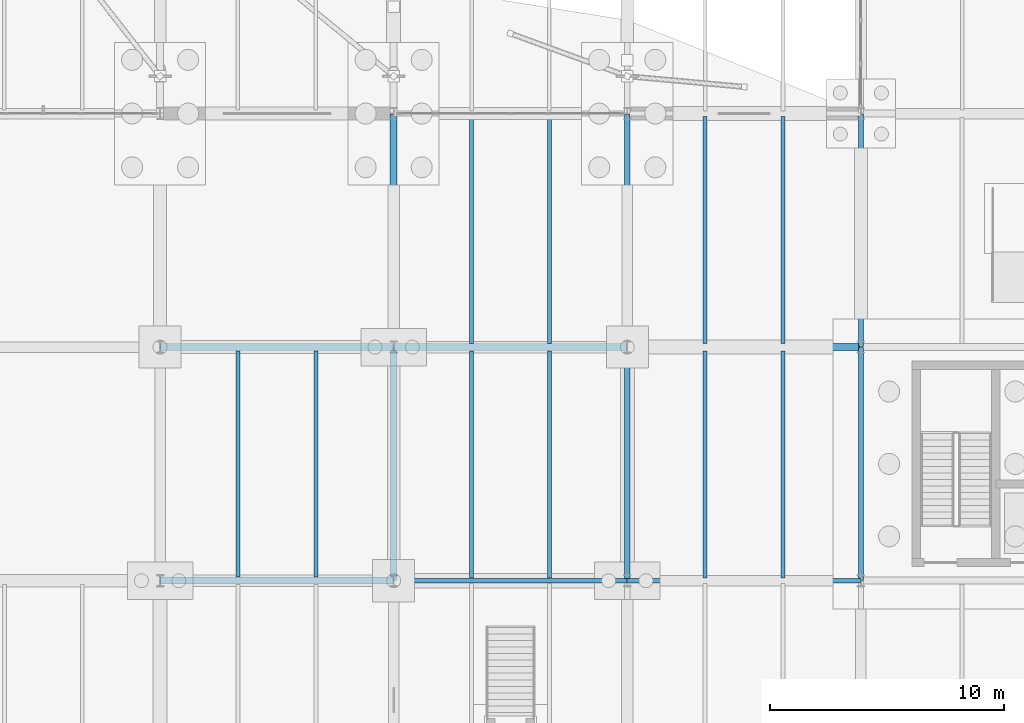
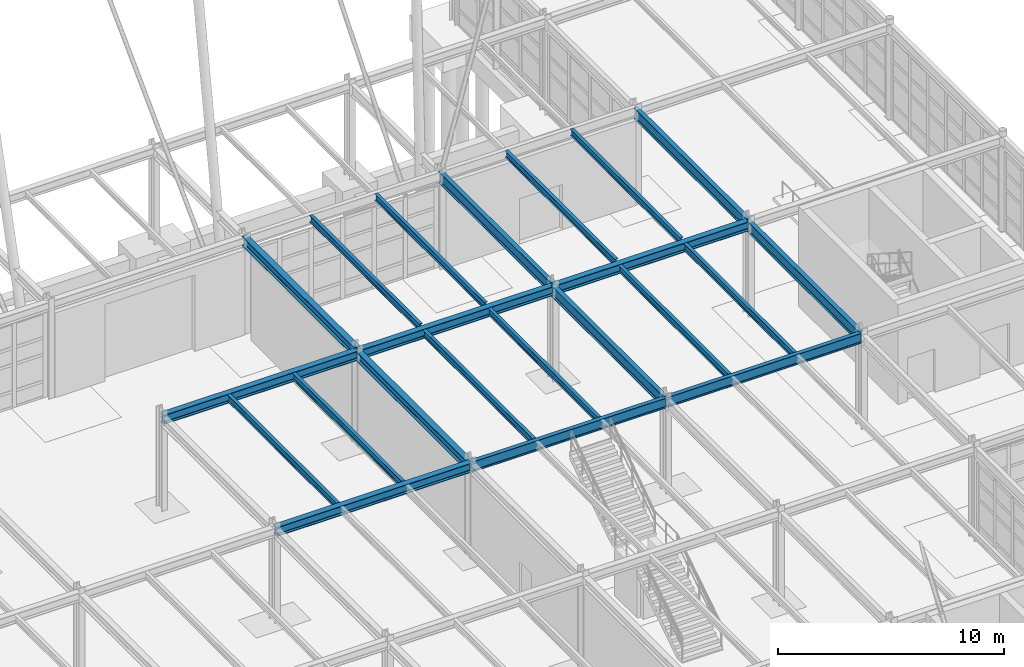
# One storey, part 58 of 145: 22 beams.
"""IFC4 building model written with IfcOpenShell, lengths in metres."""

import ifcopenshell
import ifcopenshell.guid

model = None  # the IFC model being written
_history = None  # IfcOwnerHistory: only IFC2X3 demands one
_inside = {}  # id of a spatial element -> (the spatial element, [elements in it])
_under = {}  # id of a project, library or spatial element -> (it, [spatial elements below it])
_declared = {}  # id of a project -> (the project, [libraries it declares])
_typed = {}  # id of a type object -> (the type object, [elements of that type])
_made_of = {}  # id of a material, layer set ... -> (it, [elements and type objects made of it])


def new_model(schema):
    """Start an empty IFC model of exactly this schema.

    Asked for "IFC4X3", IfcOpenShell would pick the latest addendum, in which some entities
    have other attributes; the version numbers below select the first issue.
    IFC2X3 requires an IfcOwnerHistory on every rooted entity: one is made here for all.
    """
    global model, _history
    if schema == "IFC4X3":
        model = ifcopenshell.file(schema_version=(4, 3, 0, 0))
    else:
        model = ifcopenshell.file(schema=schema)
    _inside.clear()
    _under.clear()
    _declared.clear()
    _typed.clear()
    _made_of.clear()
    _history = None
    if model.schema == "IFC2X3":
        org = make("IfcOrganization", Name="unknown")
        user = make(
            "IfcPersonAndOrganization",
            ThePerson=make("IfcPerson", FamilyName="unknown"),
            TheOrganization=org,
        )
        app = make(
            "IfcApplication",
            ApplicationDeveloper=org,
            Version="unknown",
            ApplicationFullName="unknown",
            ApplicationIdentifier="unknown",
        )
        _history = make(
            "IfcOwnerHistory",
            OwningUser=user,
            OwningApplication=app,
            ChangeAction="ADDED",
            CreationDate=0,
        )
    return model


def make(cls, **values):
    """One entity of the class cls with the attributes given. An attribute that is None is left unset."""
    return model.create_entity(
        cls, **{name: value for name, value in values.items() if value is not None}
    )


def rooted(cls, **values):
    """An entity with a GlobalId (a new one), such as an element, a storey or a relation."""
    return make(cls, GlobalId=ifcopenshell.guid.new(), OwnerHistory=_history, **values)


def si_unit(unit_type, name, prefix=None):
    """IfcSIUnit, for example si_unit("LENGTHUNIT", "METRE", prefix="MILLI")."""
    return make("IfcSIUnit", UnitType=unit_type, Prefix=prefix, Name=name)


def assignment(units):
    """IfcUnitAssignment: the units of a project."""
    return None if units is None else make("IfcUnitAssignment", Units=units)


def point(xyz):
    """IfcCartesianPoint."""
    return None if xyz is None else make("IfcCartesianPoint", Coordinates=xyz)


def direction(xyz):
    """IfcDirection."""
    return None if xyz is None else make("IfcDirection", DirectionRatios=xyz)


def frame(location, z_axis=None, x_axis=None):
    """IfcAxis2Placement3D, a coordinate frame: its origin and axes. An axis left out is left unset."""
    return make(
        "IfcAxis2Placement3D",
        Location=point(location),
        Axis=direction(z_axis),
        RefDirection=direction(x_axis),
    )


def frame_2d(location, x_axis=None):
    """IfcAxis2Placement2D, a coordinate frame in the plane: its origin and x axis."""
    return make(
        "IfcAxis2Placement2D", Location=point(location), RefDirection=direction(x_axis)
    )


def origin():
    """The frame at (0, 0, 0) with its axes left unset."""
    return frame((0.0, 0.0, 0.0))


def origin_2d():
    """The frame at (0, 0) in the plane with its x axis left unset."""
    return frame_2d((0.0, 0.0))


def place(relative_to, where):
    """IfcLocalPlacement: puts the frame where relative to a parent placement (None: the world)."""
    return make(
        "IfcLocalPlacement", PlacementRelTo=relative_to, RelativePlacement=where
    )


def context(
    kind, dimensions, precision=None, world=None, true_north=None, identifier=None
):
    """IfcGeometricRepresentationContext, for example the 3D "Model" context."""
    return make(
        "IfcGeometricRepresentationContext",
        ContextIdentifier=identifier,
        ContextType=kind,
        CoordinateSpaceDimension=dimensions,
        Precision=precision,
        WorldCoordinateSystem=world,
        TrueNorth=true_north,
    )


def subcontext(parent, identifier, kind, view, scale=None):
    """IfcGeometricRepresentationSubContext, for example "Body" below "Model"."""
    return make(
        "IfcGeometricRepresentationSubContext",
        ContextIdentifier=identifier,
        ContextType=kind,
        ParentContext=parent,
        TargetScale=scale,
        TargetView=view,
    )


def project(units=None, contexts=None):
    """IfcProject with its units and contexts."""
    return rooted(
        "IfcProject",
        Name="project",
        RepresentationContexts=contexts,
        UnitsInContext=assignment(units),
    )


def spatial(cls, under=None, at=None, **own):
    """A site, building, storey or space (cls), placed at a placement, below another one or the project."""
    s = rooted(cls, ObjectPlacement=at, **own)
    if under is not None:
        _under.setdefault(under.id(), (under, []))[1].append(s)
    return s


def profile(cls, at=None, kind="AREA", **sizes):
    """A parametric profile (cls). Its sizes go by their IFC names, for example OverallWidth=200.0."""
    return make(cls, ProfileType=kind, Position=at, **sizes)


def i_section(**sizes):
    """IfcIShapeProfileDef."""
    return profile("IfcIShapeProfileDef", **sizes)


def extrude(swept, where, along, depth):
    """IfcExtrudedAreaSolid: the profile swept, set in the frame where, extruded along a direction by depth."""
    return make(
        "IfcExtrudedAreaSolid",
        SweptArea=swept,
        Position=where,
        ExtrudedDirection=direction(along),
        Depth=depth,
    )


def shape(context_of_items, identifier, shape_type, items):
    """IfcShapeRepresentation: the items that make up one representation, for example the "Body"."""
    return make(
        "IfcShapeRepresentation",
        ContextOfItems=context_of_items,
        RepresentationIdentifier=identifier,
        RepresentationType=shape_type,
        Items=items,
    )


def material(Name=None, Category=None):
    """IfcMaterial."""
    return make("IfcMaterial", Name=Name, Category=Category)


def material_profile(
    of_material, cross_section, Name=None, Category=None, Priority=None
):
    """IfcMaterialProfile: a cross section and its material."""
    return make(
        "IfcMaterialProfile",
        Name=Name,
        Material=of_material,
        Profile=cross_section,
        Priority=Priority,
        Category=Category,
    )


def profile_set(profiles, Name=None, composite=None):
    """IfcMaterialProfileSet."""
    return make(
        "IfcMaterialProfileSet",
        Name=Name,
        MaterialProfiles=profiles,
        CompositeProfile=composite,
    )


def made_of(thing, what):
    """Note that an element or type object is made of a material, layer set ...; save() writes the relation."""
    if what is not None:
        _made_of.setdefault(what.id(), (what, []))[1].append(thing)
    return thing


def type_object(cls, material=None, **own):
    """A type object (cls), such as IfcWallType, which elements share."""
    return made_of(rooted(cls, **own), material)


def element(
    cls,
    number,
    at=None,
    inside=None,
    cuts=None,
    type_object=None,
    material=None,
    context=None,
    identifier="Body",
    shape_type=None,
    held_by="IfcProductDefinitionShape",
    body=None,
    shapes=None,
    **own,
):
    """One element of the class cls, such as IfcWall. Its Tag is "e" and its number.

    at: its placement. inside: the storey or other place that contains it. cuts: it is an
    opening in that element (IfcRelVoidsElement). A single representation is given by context,
    identifier, shape_type and body (its items); several are given by shapes. held_by: the class
    of the entity that holds the representations. save() writes the other relations.
    """
    e = rooted(cls, Tag="e%d" % number, ObjectPlacement=at, **own)
    if body is not None:
        shapes = [shape(context, identifier, shape_type, body)]
    if shapes is not None:
        e.Representation = make(held_by, Representations=shapes)
    if inside is not None:
        _inside.setdefault(inside.id(), (inside, []))[1].append(e)
    if cuts is not None:
        rooted(
            "IfcRelVoidsElement", RelatingBuildingElement=cuts, RelatedOpeningElement=e
        )
    if type_object is not None:
        _typed.setdefault(type_object.id(), (type_object, []))[1].append(e)
    return made_of(e, material)


def aggregate(whole, parts):
    """IfcRelAggregates: a whole, such as a stair, and the parts it consists of."""
    return rooted("IfcRelAggregates", RelatingObject=whole, RelatedObjects=parts)


def save(model, path):
    """Write the relations noted so far, then the file.

    IfcRelAggregates (storeys below a building ...), IfcRelContainedInSpatialStructure (elements
    in a storey), IfcRelDefinesByType, IfcRelAssociatesMaterial and IfcRelDeclares: one each for
    every whole, place, type object, material and project.
    """
    for whole, parts in _under.values():
        aggregate(whole, parts)
    for where, things in _inside.values():
        rooted(
            "IfcRelContainedInSpatialStructure",
            RelatedElements=things,
            RelatingStructure=where,
        )
    for kind, things in _typed.values():
        rooted("IfcRelDefinesByType", RelatedObjects=things, RelatingType=kind)
    for what, things in _made_of.values():
        rooted("IfcRelAssociatesMaterial", RelatedObjects=things, RelatingMaterial=what)
    for by, libraries in _declared.values():
        rooted("IfcRelDeclares", RelatingContext=by, RelatedDefinitions=libraries)
    model.write(path)


model = new_model("IFC4")

# Units and contexts
model_context = context("Model", 3, precision=1e-05, world=origin(), true_north=direction((0.0, 1.0)))
body_context = subcontext(model_context, "Body", "Model", "MODEL_VIEW")
ifc_project = project(units=[si_unit("LENGTHUNIT", "METRE"), si_unit("AREAUNIT", "SQUARE_METRE"), si_unit("VOLUMEUNIT", "CUBIC_METRE"), si_unit("PLANEANGLEUNIT", "RADIAN"), si_unit("MASSUNIT", "GRAM", prefix="KILO"), si_unit("THERMODYNAMICTEMPERATUREUNIT", "KELVIN"), si_unit("POWERUNIT", "WATT")], contexts=[model_context])

# Site, building, storey
site_placement = place(None, origin())
site = spatial("IfcSite", under=ifc_project, at=site_placement, CompositionType="ELEMENT")
building_placement = place(site_placement, origin())
building = spatial("IfcBuilding", under=site, at=building_placement, Name="Korenveer Ferry Terminal", CompositionType="ELEMENT")
storey_placement = place(building_placement, origin())
storey = spatial("IfcBuildingStorey", under=building, at=storey_placement, Name="L00", CompositionType="ELEMENT", Elevation=0.0)

# Beams
ifc_material = material(Name="Steel S355", Category="steel")
ifc_material_profile_1 = material_profile(ifc_material, i_section(OverallWidth=0.300048828125, OverallDepth=0.5, WebThickness=0.014404296875, FlangeThickness=0.028076171875, FilletRadius=0.027099609375, at=origin_2d()), Name="HEB 500")
ifc_profile_set_1 = profile_set([ifc_material_profile_1], Name="Steel S355")
beam_type_1 = type_object("IfcBeamType", Name="STR-BM-HEB500", PredefinedType="BEAM", material=ifc_profile_set_1)
for number, where, z_axis, x_axis, name in (
    (1, (93.02001953125, 80.0, 4.830078125), (1.0, 0.0, 0.0), (0.0, 1.0, 0.0), "Primary X girder BMX-L01-X93-103-Y80"),
    (2, (93.02001953125, 90.0, 4.830078125), (1.0, 0.0, 0.0), (0.0, 1.0, 0.0), "Primary X girder BMX-L01-X93-103-Y90"),
    (3, (103.02001953125, 90.0, 4.830078125), (1.0, 0.0, 0.0), (0.0, 1.0, 0.0), "Primary X girder BMX-L01-X103-113-Y90"),
    (4, (113.02001953125, 90.0, 4.830078125), (1.0, 0.0, 0.0), (0.0, 1.0, 0.0), "Primary X girder BMX-L01-X113-123-Y90"),
    (5, (103.0, 80.02001953125, 4.830078125), (0.0, 1.0, 0.0), (-1.0, 0.0, 0.0), "Primary Y girder BMY-L01-X103-Y80-90"),
    (6, (103.0, 90.02001953125, 4.929931640625), (0.0, 1.0, 0.0), (-1.0, 0.0, 0.0), "Primary Y girder BMY-L01-X103-Y90-100"),
):
    element("IfcBeam", number, at=place(storey_placement, frame(where, z_axis=z_axis, x_axis=x_axis)), inside=storey, type_object=beam_type_1, Name=name, PredefinedType="BEAM", context=body_context, shape_type="SweptSolid", body=[
        extrude(i_section(OverallWidth=0.300048828125, OverallDepth=0.5, WebThickness=0.014404296875, FlangeThickness=0.028076171875, FilletRadius=0.027099609375, at=origin_2d()), origin(), (0.0, 0.0, 1.0), 9.9599609375),
    ])
ifc_material_profile_2 = material_profile(ifc_material, i_section(OverallWidth=0.2099609375, OverallDepth=0.550048828125, WebThickness=0.010986328125, FlangeThickness=0.01708984375, FilletRadius=0.02392578125, at=origin_2d()), Name="IPE 550")
ifc_profile_set_2 = profile_set([ifc_material_profile_2], Name="Steel S355")
beam_type_2 = type_object("IfcBeamType", Name="STR-BM-IPE550", PredefinedType="BEAM", material=ifc_profile_set_2)
for number, where, z_axis, x_axis, name in (
    (7, (103.02001953125, 80.0, 4.804931640625), (1.0, 0.0, 0.0), (0.0, 1.0, 0.0), "Primary X girder BMX-L01-X103-113-Y80"),
    (8, (113.02001953125, 80.0, 4.804931640625), (1.0, 0.0, 0.0), (0.0, 1.0, 0.0), "Primary X girder BMX-L01-X113-123-Y80"),
):
    element("IfcBeam", number, at=place(storey_placement, frame(where, z_axis=z_axis, x_axis=x_axis)), inside=storey, type_object=beam_type_2, Name=name, PredefinedType="BEAM", context=body_context, shape_type="SweptSolid", body=[
        extrude(i_section(OverallWidth=0.2099609375, OverallDepth=0.550048828125, WebThickness=0.010986328125, FlangeThickness=0.01708984375, FilletRadius=0.02392578125, at=origin_2d()), origin(), (0.0, 0.0, 1.0), 9.9599609375),
    ])
ifc_material_profile_3 = material_profile(ifc_material, i_section(OverallWidth=0.219970703125, OverallDepth=0.60009765625, WebThickness=0.011962890625, FlangeThickness=0.01904296875, FilletRadius=0.02392578125, at=origin_2d()), Name="IPE 600")
ifc_profile_set_3 = profile_set([ifc_material_profile_3], Name="Steel S355")
beam_type_3 = type_object("IfcBeamType", Name="STR-BM-IPE600", PredefinedType="BEAM", material=ifc_profile_set_3)
for number, where, z_axis, x_axis, name in (
    (9, (113.0, 80.02001953125, 4.780029296875), (0.0, 1.0, 0.0), (-1.0, 0.0, 0.0), "Primary Y girder BMY-L01-X113-Y80-90"),
    (10, (113.0, 90.02001953125, 4.8798828125), (0.0, 1.0, 0.0), (-1.0, 0.0, 0.0), "Primary Y girder BMY-L01-X113-Y90-100"),
    (11, (123.0, 80.02001953125, 4.780029296875), (0.0, 1.0, 0.0), (-1.0, 0.0, 0.0), "Primary Y girder BMY-L01-X123-Y80-90"),
    (12, (123.0, 90.02001953125, 4.820068359375), (0.0, 1.0, 0.0), (-1.0, 0.0, 0.0), "Primary Y girder BMY-L01-X123-Y90-100"),
):
    element("IfcBeam", number, at=place(storey_placement, frame(where, z_axis=z_axis, x_axis=x_axis)), inside=storey, type_object=beam_type_3, Name=name, PredefinedType="BEAM", context=body_context, shape_type="SweptSolid", body=[
        extrude(i_section(OverallWidth=0.219970703125, OverallDepth=0.60009765625, WebThickness=0.011962890625, FlangeThickness=0.01904296875, FilletRadius=0.02392578125, at=origin_2d()), origin(), (0.0, 0.0, 1.0), 9.9599609375),
    ])
ifc_material_profile_4 = material_profile(ifc_material, i_section(OverallWidth=0.169921875, OverallDepth=0.360107421875, WebThickness=0.008056640625, FlangeThickness=0.0126953125, FilletRadius=0.01806640625, at=origin_2d()), Name="IPE 360")
ifc_profile_set_4 = profile_set([ifc_material_profile_4], Name="Steel S355")
beam_type_4 = type_object("IfcBeamType", Name="STR-JST-IPE360", PredefinedType="JOIST", material=ifc_profile_set_4)
for number, where, z_axis, x_axis, name in (
    (13, (96.333251953125, 80.159912109375, 4.89990234375), (0.0, 1.0, 0.0), (-1.0, 0.0, 0.0), "Secondary composite joist JST-L01-X963-Y80-90"),
    (14, (99.666748046875, 80.159912109375, 4.89990234375), (0.0, 1.0, 0.0), (-1.0, 0.0, 0.0), "Secondary composite joist JST-L01-X997-Y80-90"),
):
    element("IfcBeam", number, at=place(storey_placement, frame(where, z_axis=z_axis, x_axis=x_axis)), inside=storey, type_object=beam_type_4, Name=name, PredefinedType="JOIST", context=body_context, shape_type="SweptSolid", body=[
        extrude(i_section(OverallWidth=0.169921875, OverallDepth=0.360107421875, WebThickness=0.008056640625, FlangeThickness=0.0126953125, FilletRadius=0.01806640625, at=origin_2d()), origin(), (0.0, 0.0, 1.0), 9.68017578125),
    ])
for number, where, z_axis, x_axis, name in (
    (15, (106.333251953125, 80.114990234375, 4.89990234375), (0.0, 1.0, 0.0), (-1.0, 0.0, 0.0), "Secondary composite joist JST-L01-X1063-Y80-90"),
    (16, (109.666748046875, 80.114990234375, 4.89990234375), (0.0, 1.0, 0.0), (-1.0, 0.0, 0.0), "Secondary composite joist JST-L01-X1097-Y80-90"),
    (17, (106.333251953125, 90.159912109375, 5.0), (0.0, 1.0, 0.0), (-1.0, 0.0, 0.0), "Secondary composite joist JST-L01-X1063-Y90-100"),
    (18, (109.666748046875, 90.159912109375, 5.0), (0.0, 1.0, 0.0), (-1.0, 0.0, 0.0), "Secondary composite joist JST-L01-X1097-Y90-100"),
    (19, (116.333251953125, 80.114990234375, 4.89990234375), (0.0, 1.0, 0.0), (-1.0, 0.0, 0.0), "Secondary composite joist JST-L01-X1163-Y80-90"),
    (20, (119.666748046875, 80.114990234375, 4.89990234375), (0.0, 1.0, 0.0), (-1.0, 0.0, 0.0), "Secondary composite joist JST-L01-X1197-Y80-90"),
    (21, (116.333251953125, 90.159912109375, 5.0), (0.0, 1.0, 0.0), (-1.0, 0.0, 0.0), "Secondary composite joist JST-L01-X1163-Y90-100"),
    (22, (119.666748046875, 90.159912109375, 5.0), (0.0, 1.0, 0.0), (-1.0, 0.0, 0.0), "Secondary composite joist JST-L01-X1197-Y90-100"),
):
    element("IfcBeam", number, at=place(storey_placement, frame(where, z_axis=z_axis, x_axis=x_axis)), inside=storey, type_object=beam_type_4, Name=name, PredefinedType="JOIST", context=body_context, shape_type="SweptSolid", body=[
        extrude(i_section(OverallWidth=0.169921875, OverallDepth=0.360107421875, WebThickness=0.008056640625, FlangeThickness=0.0126953125, FilletRadius=0.01806640625, at=origin_2d()), origin(), (0.0, 0.0, 1.0), 9.72509765625),
    ])

save(model, "model.ifc")
